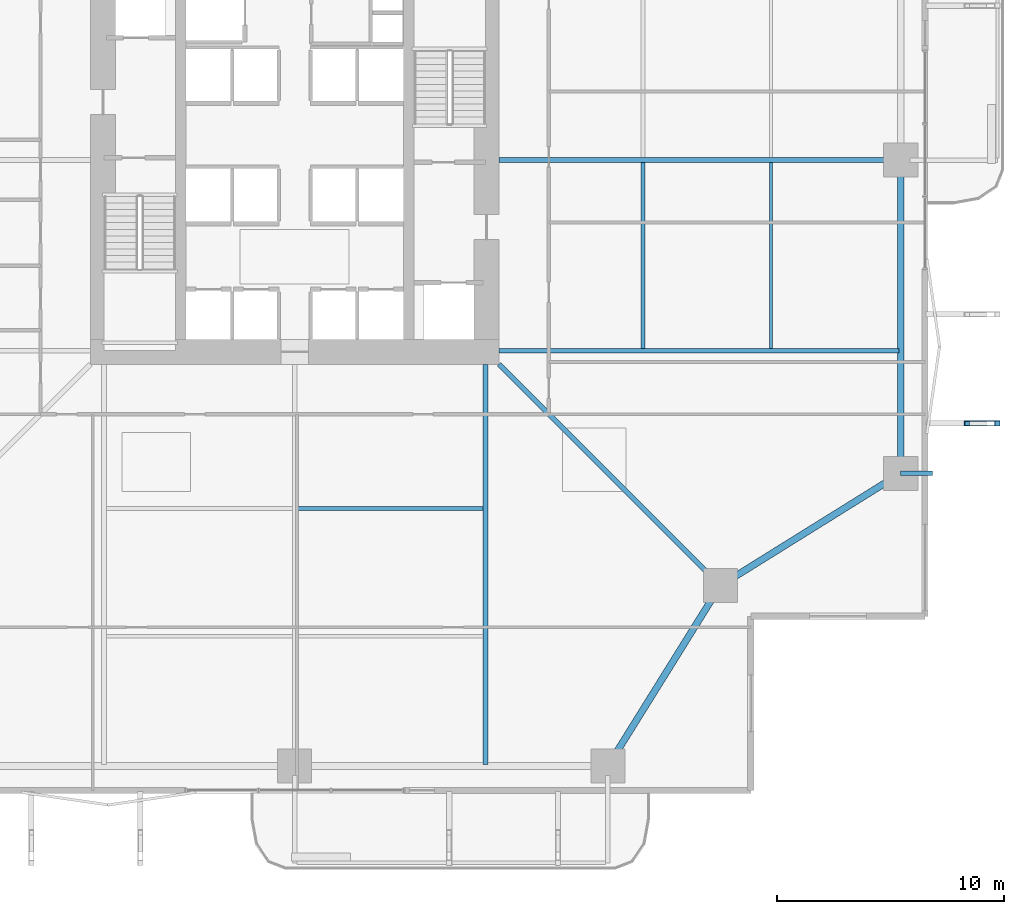
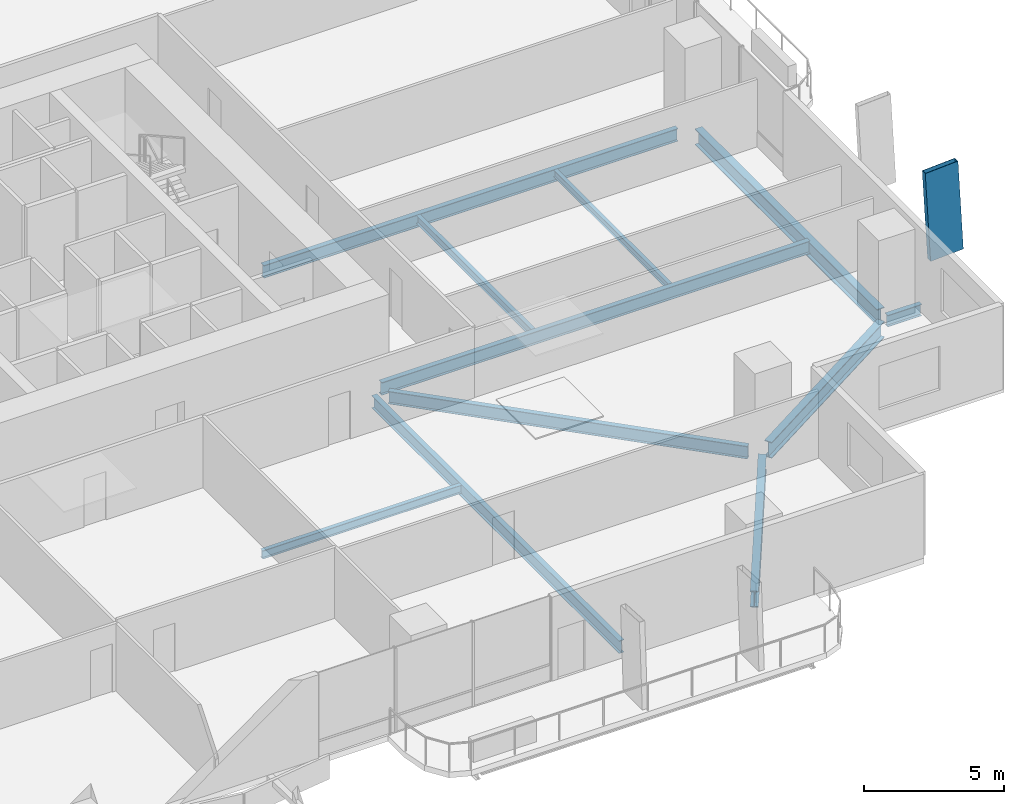
# One storey, part 7 of 24: 11 beams, 1 member.
"""IFC4 building model written with IfcOpenShell, lengths in metres."""

from ifc_helpers import new_model, si_unit, direction, frame, origin, origin_2d, place, context, subcontext, project, spatial, hollow_rectangle, i_section, extrude, material, material_profile, profile_set, type_object, element, save


model = new_model("IFC4")

# Units and contexts
model_context = context("Model", 3, precision=1e-05, world=origin(), true_north=direction((0.0, 1.0)))
body_context = subcontext(model_context, "Body", "Model", "MODEL_VIEW")
ifc_project = project(units=[si_unit("LENGTHUNIT", "METRE"), si_unit("AREAUNIT", "SQUARE_METRE"), si_unit("VOLUMEUNIT", "CUBIC_METRE"), si_unit("PLANEANGLEUNIT", "RADIAN"), si_unit("MASSUNIT", "GRAM", prefix="KILO")], contexts=[model_context])

# Site, building, storey
site_placement = place(None, origin())
site = spatial("IfcSite", under=ifc_project, at=site_placement, CompositionType="ELEMENT")
building_placement = place(site_placement, origin())
building = spatial("IfcBuilding", under=site, at=building_placement, Name="Belovzor Exchange Tower", CompositionType="ELEMENT")
storey_placement = place(building_placement, frame((0.0, 0.0, 49.5)))
storey = spatial("IfcBuildingStorey", under=building, at=storey_placement, Name="L11", CompositionType="ELEMENT", Elevation=49.5)

# Member
ifc_material_1 = material(Name="Extruded Architectural Terracotta on Steel S355 Carrier", Category="masonry")
ifc_material_profile_1 = material_profile(ifc_material_1, hollow_rectangle(XDim=0.219970703125, YDim=1.35009765625, WallThickness=0.013916015625, at=origin_2d()))
ifc_profile_set_1 = profile_set([ifc_material_profile_1], Name="Extruded Architectural Terracotta on Steel S355 Carrier")
member_type = type_object("IfcMemberType", Name="Base Arc Sweeping Terracotta Pylon Fin 1450", PredefinedType="USERDEFINED", material=ifc_profile_set_1)
member_placement = place(storey_placement, frame((59.197998046875, 17.199951171875, -0.25), z_axis=(-0.056065425443, 0.0, 0.998427097023), x_axis=(0.0, -1.0, 0.0)))
element("IfcMember", 1, at=member_placement, inside=storey, type_object=member_type, Name="FIN-TC145 Terracotta Facade Fin L11 E1", ObjectType="FIN", PredefinedType="USERDEFINED", context=body_context, shape_type="SweptSolid", body=[
    extrude(hollow_rectangle(XDim=0.219970703125, YDim=1.35009765625, WallThickness=0.013916015625, at=origin_2d()), origin(), (0.0, 0.0, 1.0), 3.906005859375),
])

# Beams
ifc_material_2 = material(Name="Steel S355", Category="steel")
ifc_material_profile_2 = material_profile(ifc_material_2, i_section(OverallWidth=0.199951171875, OverallDepth=0.5, WebThickness=0.01025390625, FlangeThickness=0.01611328125, at=origin_2d()))
ifc_profile_set_2 = profile_set([ifc_material_profile_2], Name="Steel S355")
beam_type_1 = type_object("IfcBeamType", Name="Planted Balcony Cantilever Beam IPE 500", PredefinedType="BEAM", material=ifc_profile_set_2)
beam_1_placement = place(storey_placement, frame((55.5, 15.0, -0.5), z_axis=(1.0, 0.0, 0.0), x_axis=(0.0, 1.0, 0.0)))
element("IfcBeam", 2, at=beam_1_placement, inside=storey, type_object=beam_type_1, Name="BC-500 Planted Balcony Cantilever Beam IPE 500", PredefinedType="BEAM", context=body_context, shape_type="SweptSolid", body=[
    extrude(i_section(OverallWidth=0.199951171875, OverallDepth=0.5, WebThickness=0.01025390625, FlangeThickness=0.01611328125, at=origin_2d()), origin(), (0.0, 0.0, 1.0), 1.39990234375),
])
ifc_material_3 = material(Name="Steel S355", Category="steel")
ifc_material_profile_3 = material_profile(ifc_material_3, i_section(OverallWidth=0.169921875, OverallDepth=0.360107421875, WebThickness=0.008056640625, FlangeThickness=0.0126953125, at=origin_2d()))
ifc_profile_set_3 = profile_set([ifc_material_profile_3], Name="Steel S355")
beam_type_2 = type_object("IfcBeamType", Name="Secondary Infill Floor Joist IPE 360", PredefinedType="BEAM", material=ifc_profile_set_3)
beam_2_placement = place(storey_placement, frame((28.905029296875, 13.455078125, -0.429931640625), z_axis=(1.0, 0.0, 0.0), x_axis=(0.0, 1.0, 0.0)))
element("IfcBeam", 3, at=beam_2_placement, inside=storey, type_object=beam_type_2, Name="FJ-360 Secondary Infill Floor Joist IPE 360", PredefinedType="BEAM", context=body_context, shape_type="SweptSolid", body=[
    extrude(i_section(OverallWidth=0.169921875, OverallDepth=0.360107421875, WebThickness=0.008056640625, FlangeThickness=0.0126953125, at=origin_2d()), origin(), (0.0, 0.0, 1.0), 8.18994140625),
])
beam_3_placement = place(storey_placement, frame((44.14501953125, 20.5048828125, -0.429931640625), z_axis=(0.0, 1.0, 0.0), x_axis=(-1.0, 0.0, 0.0)))
element("IfcBeam", 4, at=beam_3_placement, inside=storey, type_object=beam_type_2, Name="FJ-360 Secondary Infill Floor Joist IPE 360", PredefinedType="BEAM", context=body_context, shape_type="SweptSolid", body=[
    extrude(i_section(OverallWidth=0.169921875, OverallDepth=0.360107421875, WebThickness=0.008056640625, FlangeThickness=0.0126953125, at=origin_2d()), origin(), (0.0, 0.0, 1.0), 8.190185546875),
])
ifc_material_4 = material(Name="Steel S355", Category="steel")
ifc_material_profile_4 = material_profile(ifc_material_4, i_section(OverallWidth=0.14990234375, OverallDepth=0.300048828125, WebThickness=0.007080078125, FlangeThickness=0.0107421875, at=origin_2d()))
ifc_profile_set_4 = profile_set([ifc_material_profile_4], Name="Steel S355")
beam_type_3 = type_object("IfcBeamType", Name="Secondary Trim Floor Joist IPE 300", PredefinedType="BEAM", material=ifc_profile_set_4)
beam_4_placement = place(storey_placement, frame((49.784912109375, 20.5048828125, -0.39990234375), z_axis=(0.0, 1.0, 0.0), x_axis=(-1.0, 0.0, 0.0)))
element("IfcBeam", 5, at=beam_4_placement, inside=storey, type_object=beam_type_3, Name="FJ-300 Secondary Trim Floor Joist IPE 300", PredefinedType="BEAM", context=body_context, shape_type="SweptSolid", body=[
    extrude(i_section(OverallWidth=0.14990234375, OverallDepth=0.300048828125, WebThickness=0.007080078125, FlangeThickness=0.0107421875, at=origin_2d()), origin(), (0.0, 0.0, 1.0), 8.190185546875),
])
ifc_material_5 = material(Name="Steel S355", Category="steel")
ifc_material_profile_5 = material_profile(ifc_material_5, i_section(OverallWidth=0.300048828125, OverallDepth=0.699951171875, WebThickness=0.01708984375, FlangeThickness=0.031982421875, at=origin_2d()))
ifc_profile_set_5 = profile_set([ifc_material_profile_5], Name="Steel S355")
beam_type_4 = type_object("IfcBeamType", Name="Zone 1 Primary Perimeter Girder HEB 700", PredefinedType="BEAM", material=ifc_profile_set_5)
for number, where, z_axis, x_axis, name in (
    (6, (42.818115234375, 2.449951171875, -0.60009765625), (0.528538629686, 0.848909251292, 0.0), (-0.848909251292, 0.528538629686, 0.0), "FG-Z1 Zone 1 Primary Perimeter Girder HEB 700"),
    (7, (47.89990234375, 10.26806640625, -0.60009765625), (0.848909251292, 0.528538629686, 0.0), (-0.528538629686, 0.848909251292, 0.0), "FG-Z1 Zone 1 Primary Perimeter Girder HEB 700"),
):
    element("IfcBeam", number, at=place(storey_placement, frame(where, z_axis=z_axis, x_axis=x_axis)), inside=storey, type_object=beam_type_4, Name=name, PredefinedType="BEAM", context=body_context, shape_type="SweptSolid", body=[
        extrude(i_section(OverallWidth=0.300048828125, OverallDepth=0.699951171875, WebThickness=0.01708984375, FlangeThickness=0.031982421875, at=origin_2d()), origin(), (0.0, 0.0, 1.0), 8.540283203125),
    ])
beam_5_placement = place(storey_placement, frame((55.5, 15.412109375, -0.60009765625), z_axis=(0.0, 1.0, 0.0), x_axis=(-1.0, 0.0, 0.0)))
element("IfcBeam", 8, at=beam_5_placement, inside=storey, type_object=beam_type_4, Name="FG-Z1 Zone 1 Primary Perimeter Girder HEB 700", PredefinedType="BEAM", context=body_context, shape_type="SweptSolid", body=[
    extrude(i_section(OverallWidth=0.300048828125, OverallDepth=0.699951171875, WebThickness=0.01708984375, FlangeThickness=0.031982421875, at=origin_2d()), origin(), (0.0, 0.0, 1.0), 12.974853515625),
])
ifc_material_6 = material(Name="Steel S355", Category="steel")
ifc_material_profile_6 = material_profile(ifc_material_6, i_section(OverallWidth=0.2099609375, OverallDepth=0.550048828125, WebThickness=0.010986328125, FlangeThickness=0.01708984375, at=origin_2d()))
ifc_profile_set_6 = profile_set([ifc_material_profile_6], Name="Steel S355")
beam_type_5 = type_object("IfcBeamType", Name="Zone 1 Radial Composite Floor Beam IPE 550", PredefinedType="BEAM", material=ifc_profile_set_6)
for number, where, z_axis, x_axis, name in (
    (9, (37.199951171875, 19.800048828125, -0.52490234375), (0.0, -1.0, 0.0), (1.0, 0.0, 0.0), "FB-550 Zone 1 Radial Composite Floor Beam IPE 550"),
    (10, (37.800048828125, 20.39990234375, -0.52490234375), (1.0, 0.0, 0.0), (0.0, 1.0, 0.0), "FB-550 Zone 1 Radial Composite Floor Beam IPE 550"),
):
    element("IfcBeam", number, at=place(storey_placement, frame(where, z_axis=z_axis, x_axis=x_axis)), inside=storey, type_object=beam_type_5, Name=name, PredefinedType="BEAM", context=body_context, shape_type="SweptSolid", body=[
        extrude(i_section(OverallWidth=0.2099609375, OverallDepth=0.550048828125, WebThickness=0.010986328125, FlangeThickness=0.01708984375, at=origin_2d()), origin(), (0.0, 0.0, 1.0), 17.625),
    ])
beam_6_placement = place(storey_placement, frame((37.800048828125, 28.800048828125, -0.52490234375), z_axis=(1.0, 0.0, 0.0), x_axis=(0.0, 1.0, 0.0)))
element("IfcBeam", 11, at=beam_6_placement, inside=storey, type_object=beam_type_5, Name="FB-550 Zone 1 Radial Composite Floor Beam IPE 550", PredefinedType="BEAM", context=body_context, shape_type="SweptSolid", body=[
    extrude(i_section(OverallWidth=0.2099609375, OverallDepth=0.550048828125, WebThickness=0.010986328125, FlangeThickness=0.01708984375, at=origin_2d()), origin(), (0.0, 0.0, 1.0), 17.0400390625),
])
beam_7_placement = place(storey_placement, frame((37.800048828125, 19.800048828125, -0.52490234375), z_axis=(0.707106781187, -0.707106781187, 0.0), x_axis=(0.707106781187, 0.707106781187, 0.0)))
element("IfcBeam", 12, at=beam_7_placement, inside=storey, type_object=beam_type_5, Name="FB-550 Zone 1 Radial Composite Floor Beam IPE 550", PredefinedType="BEAM", context=body_context, shape_type="SweptSolid", body=[
    extrude(i_section(OverallWidth=0.2099609375, OverallDepth=0.550048828125, WebThickness=0.010986328125, FlangeThickness=0.01708984375, at=origin_2d()), origin(), (0.0, 0.0, 1.0), 13.25830078125),
])

save(model, "model.ifc")
